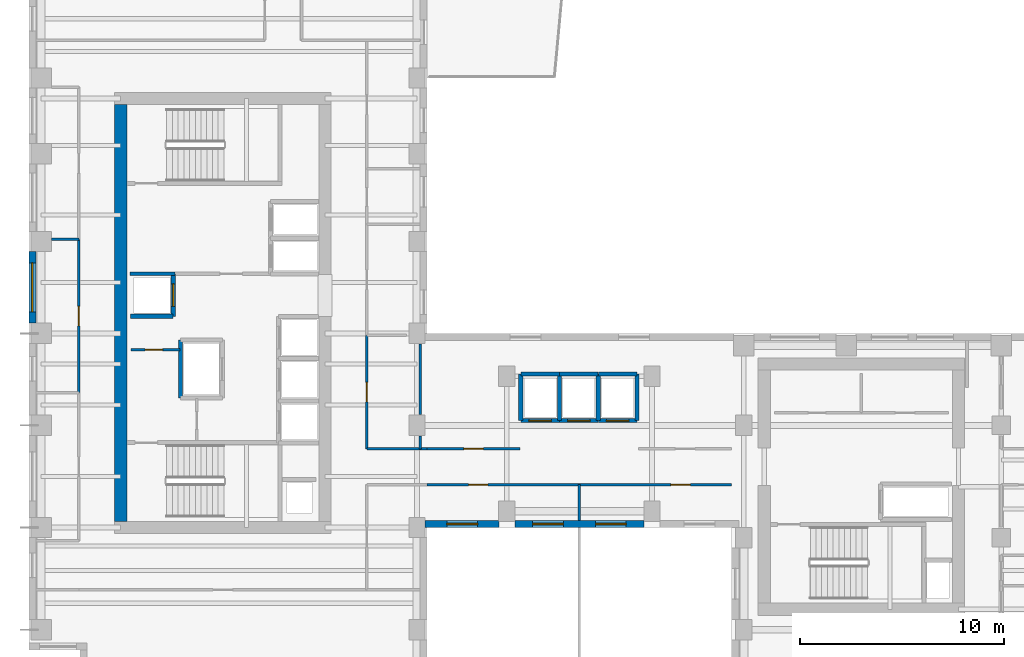
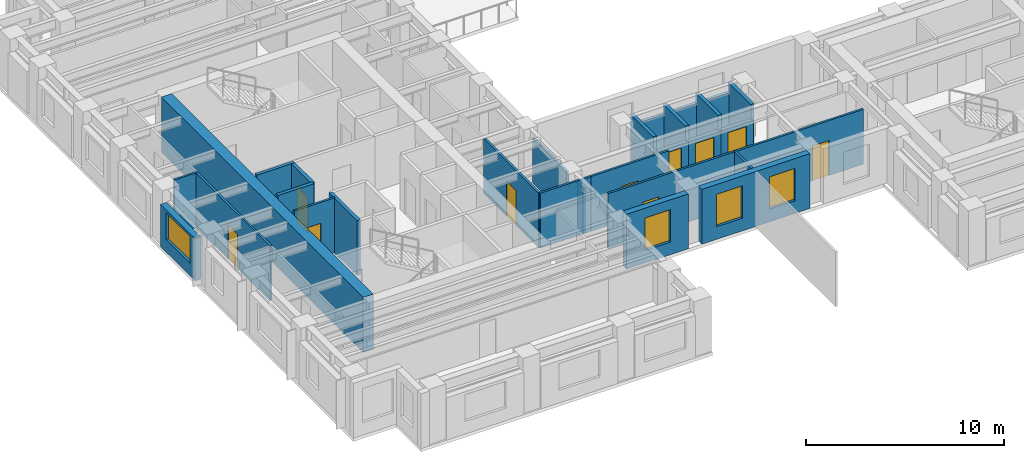
# One storey, part 4 of 11: 29 walls, 10 doors, 4 windows, 14 openings.
"""IFC4 building model written with IfcOpenShell, lengths in metres."""

from ifc_helpers import new_model, si_unit, direction, frame, frame_2d, origin, place, context, subcontext, project, spatial, rectangle, extrude, source, transform, mapped, material, layer, layer_set, type_object, element, fill, save


model = new_model("IFC4")

# Units and contexts
model_context = context("Model", 3, precision=1e-05, world=origin(), true_north=direction((0.0, 1.0)))
body_context = subcontext(model_context, "Body", "Model", "MODEL_VIEW")
ifc_project = project(units=[si_unit("LENGTHUNIT", "METRE"), si_unit("AREAUNIT", "SQUARE_METRE"), si_unit("VOLUMEUNIT", "CUBIC_METRE"), si_unit("PLANEANGLEUNIT", "RADIAN"), si_unit("MASSUNIT", "GRAM", prefix="KILO")], contexts=[model_context])

# Site, building, storey
site_placement = place(None, origin())
site = spatial("IfcSite", under=ifc_project, at=site_placement, CompositionType="ELEMENT")
building_placement = place(site_placement, origin())
building = spatial("IfcBuilding", under=site, at=building_placement, Name="Kharzan Plaza Tower", CompositionType="ELEMENT")
storey_placement = place(building_placement, frame((0.0, 0.0, 171.89990234375)))
storey = spatial("IfcBuildingStorey", under=building, at=storey_placement, Name="L46", CompositionType="ELEMENT", Elevation=171.89990234375)

# Wall, opening, window
ifc_material_1 = material(Name="Concrete C40/50", Category="concrete")
ifc_layer_1 = layer(ifc_material_1, 0.35009765625)
ifc_layer_set_1 = layer_set([ifc_layer_1], Name="Concrete C40/50")
wall_type_1 = type_object("IfcWallType", Name="WL-EXT-MAS-Z3", PredefinedType="SOLIDWALL", material=ifc_layer_set_1)
wall_1_placement = place(storey_placement, frame((0.175048828125, 22.001953125, 0.0), z_axis=(0.0, 0.0, 1.0), x_axis=(0.0, -1.0, 0.0)))
wall_1 = element("IfcWall", 1, at=wall_1_placement, inside=storey, type_object=wall_type_1, Name="L46 Masonry-Frame Exterior Wall 14", PredefinedType="SOLIDWALL", context=body_context, shape_type="SweptSolid", body=[
    extrude(rectangle(XDim=3.50390625, YDim=0.35009765625, at=frame_2d((1.751953125, 0.0))), origin(), (0.0, 0.0, 1.0), 2.612060546875),
])
opening_1_placement = place(wall_1_placement, frame((0.552001953125, 0.0, 0.780029296875)))
opening_1 = element("IfcOpeningElement", 2, at=opening_1_placement, cuts=wall_1, Name="Opening W2", PredefinedType="OPENING", context=body_context, shape_type="SweptSolid", body=[
    extrude(rectangle(XDim=2.39990234375, YDim=1.652099609375, at=frame_2d((1.199951171875, 0.826171875))), frame((0.0, 0.18505859375, 0.0), z_axis=(0.0, -1.0, 0.0), x_axis=(1.0, 0.0, 0.0)), (0.0, 0.0, 1.0), 0.3701171875),
])
ifc_material_2 = material(Name="Low-E Double Glazing", Category="glass")
window_type_1 = type_object("IfcWindowType", Name="WN-REC-2400x2100", PartitioningType="SINGLE_PANEL", PredefinedType="WINDOW", material=ifc_material_2)
shared_shape_1 = source(origin(), body_context, "Body", "SweptSolid", [
    extrude(rectangle(XDim=2.39990234375, YDim=1.652099609375, at=frame_2d((1.199951171875, 0.826171875))), frame((0.0, 0.030029296875, 0.0), z_axis=(0.0, -1.0, 0.0), x_axis=(1.0, 0.0, 0.0)), (0.0, 0.0, 1.0), 0.06005859375),
])
window_1_placement = place(opening_1_placement, origin())
window_1 = element("IfcWindow", 3, at=window_1_placement, inside=storey, type_object=window_type_1, Name="L46 Wide Recessed Solar-Control Window 14-1", OverallHeight=1.652099609375, OverallWidth=2.39990234375, PartitioningType="SINGLE_PANEL", PredefinedType="WINDOW", context=body_context, shape_type="MappedRepresentation", body=[
    mapped(shared_shape_1, transform((0.0, 0.0, 0.0), x_axis=(1.0, 0.0, 0.0), y_axis=(0.0, 1.0, 0.0), z_axis=(0.0, 0.0, 1.0))),
])
fill(opening_1, window_1)

wall_2_placement = place(storey_placement, frame((19.39794921875, 8.675048828125, 0.0), z_axis=(0.0, 0.0, 1.0), x_axis=(1.0, 0.0, 0.0)))
wall_2 = element("IfcWall", 4, at=wall_2_placement, inside=storey, type_object=wall_type_1, Name="L46 Masonry-Frame Exterior Wall 26", PredefinedType="SOLIDWALL", context=body_context, shape_type="SweptSolid", body=[
    extrude(rectangle(XDim=3.60400390625, YDim=0.35009765625, at=frame_2d((1.802001953125, 0.0))), origin(), (0.0, 0.0, 1.0), 3.385009765625),
])
opening_2_placement = place(wall_2_placement, frame((1.067138671875, 0.0, 0.780029296875)))
opening_2 = element("IfcOpeningElement", 5, at=opening_2_placement, cuts=wall_2, Name="Opening W5", PredefinedType="OPENING", context=body_context, shape_type="SweptSolid", body=[
    extrude(rectangle(XDim=1.5, YDim=2.0, at=frame_2d((0.75, 1.0))), frame((0.0, 0.18505859375, 0.0), z_axis=(0.0, -1.0, 0.0), x_axis=(1.0, 0.0, 0.0)), (0.0, 0.0, 1.0), 0.3701171875),
])
window_type_2 = type_object("IfcWindowType", Name="WN-SLT-1500x2000", PartitioningType="SINGLE_PANEL", PredefinedType="WINDOW", material=ifc_material_2)
shared_shape_2 = source(origin(), body_context, "Body", "SweptSolid", [
    extrude(rectangle(XDim=1.5, YDim=2.0, at=frame_2d((0.75, 1.0))), frame((0.0, 0.030029296875, 0.0), z_axis=(0.0, -1.0, 0.0), x_axis=(1.0, 0.0, 0.0)), (0.0, 0.0, 1.0), 0.06005859375),
])
window_2_placement = place(opening_2_placement, origin())
window_2 = element("IfcWindow", 6, at=window_2_placement, inside=storey, type_object=window_type_2, Name="L46 Recessed Solar-Control Window 26-1", OverallHeight=2.0, OverallWidth=1.5, PartitioningType="SINGLE_PANEL", PredefinedType="WINDOW", context=body_context, shape_type="MappedRepresentation", body=[
    mapped(shared_shape_2, transform((0.0, 0.0, 0.0), x_axis=(1.0, 0.0, 0.0), y_axis=(0.0, 1.0, 0.0), z_axis=(0.0, 0.0, 1.0))),
])
fill(opening_2, window_2)

# Wall, openings, windows
wall_3_placement = place(storey_placement, frame((23.798095703125, 8.675048828125, 0.0), z_axis=(0.0, 0.0, 1.0), x_axis=(1.0, 0.0, 0.0)))
wall_3 = element("IfcWall", 7, at=wall_3_placement, inside=storey, type_object=wall_type_1, Name="L46 Masonry-Frame Exterior Wall 27", PredefinedType="SOLIDWALL", context=body_context, shape_type="SweptSolid", body=[
    extrude(rectangle(XDim=6.303955078125, YDim=0.35009765625, at=frame_2d((3.15185546875, 0.0))), origin(), (0.0, 0.0, 1.0), 3.385009765625),
])
opening_3_placement = place(wall_3_placement, frame((0.861083984375, 0.0, 0.780029296875)))
opening_3 = element("IfcOpeningElement", 8, at=opening_3_placement, cuts=wall_3, Name="Opening W5", PredefinedType="OPENING", context=body_context, shape_type="SweptSolid", body=[
    extrude(rectangle(XDim=1.5, YDim=2.0, at=frame_2d((0.75, 1.0))), frame((0.0, 0.18505859375, 0.0), z_axis=(0.0, -1.0, 0.0), x_axis=(1.0, 0.0, 0.0)), (0.0, 0.0, 1.0), 0.3701171875),
])
opening_4_placement = place(wall_3_placement, frame((3.943115234375, 0.0, 0.780029296875)))
opening_4 = element("IfcOpeningElement", 9, at=opening_4_placement, cuts=wall_3, Name="Opening W5", PredefinedType="OPENING", context=body_context, shape_type="SweptSolid", body=[
    extrude(rectangle(XDim=1.5, YDim=2.0, at=frame_2d((0.75, 1.0))), frame((0.0, 0.18505859375, 0.0), z_axis=(0.0, -1.0, 0.0), x_axis=(1.0, 0.0, 0.0)), (0.0, 0.0, 1.0), 0.3701171875),
])
window_3_placement = place(opening_3_placement, origin())
window_3 = element("IfcWindow", 10, at=window_3_placement, inside=storey, type_object=window_type_2, Name="L46 Recessed Solar-Control Window 27-1", OverallHeight=2.0, OverallWidth=1.5, PartitioningType="SINGLE_PANEL", PredefinedType="WINDOW", context=body_context, shape_type="MappedRepresentation", body=[
    mapped(shared_shape_2, transform((0.0, 0.0, 0.0), x_axis=(1.0, 0.0, 0.0), y_axis=(0.0, 1.0, 0.0), z_axis=(0.0, 0.0, 1.0))),
])
fill(opening_3, window_3)
window_4_placement = place(opening_4_placement, origin())
window_4 = element("IfcWindow", 11, at=window_4_placement, inside=storey, type_object=window_type_2, Name="L46 Recessed Solar-Control Window 27-2", OverallHeight=2.0, OverallWidth=1.5, PartitioningType="SINGLE_PANEL", PredefinedType="WINDOW", context=body_context, shape_type="MappedRepresentation", body=[
    mapped(shared_shape_2, transform((0.0, 0.0, 0.0), x_axis=(1.0, 0.0, 0.0), y_axis=(0.0, 1.0, 0.0), z_axis=(0.0, 0.0, 1.0))),
])
fill(opening_4, window_4)

# Wall, opening, door
ifc_material_3 = material(Name="Fire-Rated Gypsum Board Partition", Category="gypsum")
ifc_layer_2 = layer(ifc_material_3, 0.125)
ifc_layer_set_2 = layer_set([ifc_layer_2], Name="Fire-Rated Gypsum Board Partition")
wall_type_2 = type_object("IfcWallType", Name="WL-INT-PART-125", PredefinedType="PARTITIONING", material=ifc_layer_set_2)
wall_4_placement = place(storey_placement, frame((5.0, 17.199951171875, 0.0), z_axis=(0.0, 0.0, 1.0), x_axis=(1.0, 0.0, 0.0)))
wall_4 = element("IfcWall", 12, at=wall_4_placement, inside=storey, type_object=wall_type_2, Name="L46 Interior Partition CA-K1N2", PredefinedType="PARTITIONING", context=body_context, shape_type="SweptSolid", body=[
    extrude(rectangle(XDim=2.39990234375, YDim=0.125, at=frame_2d((1.199951171875, 0.0))), origin(), (0.0, 0.0, 1.0), 3.385009765625),
])
opening_5_placement = place(wall_4_placement, frame((0.699951171875, 0.0, 0.0)))
opening_5 = element("IfcOpeningElement", 13, at=opening_5_placement, cuts=wall_4, Name="Opening RD1", PredefinedType="OPENING", context=body_context, shape_type="SweptSolid", body=[
    extrude(rectangle(XDim=0.85009765625, YDim=2.10009765625, at=frame_2d((0.425048828125, 1.050048828125))), frame((0.0, 0.072509765625, 0.0), z_axis=(0.0, -1.0, 0.0), x_axis=(1.0, 0.0, 0.0)), (0.0, 0.0, 1.0), 0.14501953125),
])
ifc_material_4 = material(Name="Powder-Coated Fire-Rated Steel", Category="steel")
door_type_1 = type_object("IfcDoorType", Name="DR-RISER-900", OperationType="NOTDEFINED", PredefinedType="DOOR", material=ifc_material_4)
shared_shape_3 = source(origin(), body_context, "Body", "SweptSolid", [
    extrude(rectangle(XDim=0.85009765625, YDim=2.10009765625, at=frame_2d((0.425048828125, 1.050048828125))), frame((0.0, 0.02490234375, 0.0), z_axis=(0.0, -1.0, 0.0), x_axis=(1.0, 0.0, 0.0)), (0.0, 0.0, 1.0), 0.050048828125),
])
door_1_placement = place(opening_5_placement, origin())
door_1 = element("IfcDoor", 14, at=door_1_placement, inside=storey, type_object=door_type_1, Name="L46 Core Storage Room Door", OperationType="SINGLE_SWING_RIGHT", OverallHeight=2.10009765625, OverallWidth=0.85009765625, PredefinedType="DOOR", context=body_context, shape_type="MappedRepresentation", body=[
    mapped(shared_shape_3, transform((0.0, 0.0, 0.0), x_axis=(1.0, 0.0, 0.0), y_axis=(0.0, 1.0, 0.0), z_axis=(0.0, 0.0, 1.0))),
])
fill(opening_5, door_1)

wall_5_placement = place(storey_placement, frame((16.550048828125, 12.35009765625, 0.0), z_axis=(0.0, 0.0, 1.0), x_axis=(0.0, 1.0, 0.0)))
wall_5 = element("IfcWall", 15, at=wall_5_placement, inside=storey, type_object=wall_type_2, Name="L46 Interior Partition SH-AEWN1", PredefinedType="PARTITIONING", context=body_context, shape_type="SweptSolid", body=[
    extrude(rectangle(XDim=5.5498046875, YDim=0.125, at=frame_2d((2.77490234375, 0.0))), origin(), (0.0, 0.0, 1.0), 3.385009765625),
])
opening_6_placement = place(wall_5_placement, frame((2.300048828125, 0.0, 0.0)))
opening_6 = element("IfcOpeningElement", 16, at=opening_6_placement, cuts=wall_5, Name="Opening OD1", PredefinedType="OPENING", context=body_context, shape_type="SweptSolid", body=[
    extrude(rectangle(XDim=0.949951171875, YDim=2.14990234375, at=frame_2d((0.47509765625, 1.074951171875))), frame((0.0, 0.072509765625, 0.0), z_axis=(0.0, -1.0, 0.0), x_axis=(1.0, 0.0, 0.0)), (0.0, 0.0, 1.0), 0.14501953125),
])
ifc_material_5 = material(Name="Acoustic Solid-Core Stained Oak", Category="timber")
door_type_2 = type_object("IfcDoorType", Name="DR-OFF-SINGLE", OperationType="NOTDEFINED", PredefinedType="DOOR", material=ifc_material_5)
shared_shape_4 = source(origin(), body_context, "Body", "SweptSolid", [
    extrude(rectangle(XDim=0.949951171875, YDim=2.14990234375, at=frame_2d((0.47509765625, 1.074951171875))), frame((0.0, 0.02490234375, 0.0), z_axis=(0.0, -1.0, 0.0), x_axis=(1.0, 0.0, 0.0)), (0.0, 0.0, 1.0), 0.050048828125),
])
door_2_placement = place(opening_6_placement, origin())
door_2 = element("IfcDoor", 17, at=door_2_placement, inside=storey, type_object=door_type_2, Name="L46 Slot Collaboration Door", OperationType="SINGLE_SWING_RIGHT", OverallHeight=2.14990234375, OverallWidth=0.949951171875, PredefinedType="DOOR", context=body_context, shape_type="MappedRepresentation", body=[
    mapped(shared_shape_4, transform((0.0, 0.0, 0.0), x_axis=(1.0, 0.0, 0.0), y_axis=(0.0, 1.0, 0.0), z_axis=(0.0, 0.0, 1.0))),
])
fill(opening_6, door_2)

wall_6_placement = place(storey_placement, frame((19.5, 12.35009765625, 0.0), z_axis=(0.0, 0.0, 1.0), x_axis=(1.0, 0.0, 0.0)))
wall_6 = element("IfcWall", 18, at=wall_6_placement, inside=storey, type_object=wall_type_2, Name="L46 Interior Partition SH-SPNW1", PredefinedType="PARTITIONING", context=body_context, shape_type="SweptSolid", body=[
    extrude(rectangle(XDim=4.550048828125, YDim=0.125, at=frame_2d((2.27490234375, 0.0))), origin(), (0.0, 0.0, 1.0), 3.385009765625),
])
opening_7_placement = place(wall_6_placement, frame((1.800048828125, 0.0, 0.0)))
opening_7 = element("IfcOpeningElement", 19, at=opening_7_placement, cuts=wall_6, Name="Opening OD1", PredefinedType="OPENING", context=body_context, shape_type="SweptSolid", body=[
    extrude(rectangle(XDim=0.949951171875, YDim=2.14990234375, at=frame_2d((0.47509765625, 1.074951171875))), frame((0.0, 0.072509765625, 0.0), z_axis=(0.0, -1.0, 0.0), x_axis=(1.0, 0.0, 0.0)), (0.0, 0.0, 1.0), 0.14501953125),
])
door_3_placement = place(opening_7_placement, origin())
door_3 = element("IfcDoor", 20, at=door_3_placement, inside=storey, type_object=door_type_2, Name="L46 North-West Spine Door", OperationType="SINGLE_SWING_RIGHT", OverallHeight=2.14990234375, OverallWidth=0.949951171875, PredefinedType="DOOR", context=body_context, shape_type="MappedRepresentation", body=[
    mapped(shared_shape_4, transform((0.0, 0.0, 0.0), x_axis=(1.0, 0.0, 0.0), y_axis=(0.0, 1.0, 0.0), z_axis=(0.0, 0.0, 1.0))),
])
fill(opening_7, door_3)

wall_7_placement = place(storey_placement, frame((19.5, 10.60009765625, 0.0), z_axis=(0.0, 0.0, 1.0), x_axis=(1.0, 0.0, 0.0)))
wall_7 = element("IfcWall", 21, at=wall_7_placement, inside=storey, type_object=wall_type_2, Name="L46 Interior Partition SH-SPS1", PredefinedType="PARTITIONING", context=body_context, shape_type="SweptSolid", body=[
    extrude(rectangle(XDim=7.449951171875, YDim=0.125, at=frame_2d((3.72509765625, 0.0))), origin(), (0.0, 0.0, 1.0), 3.385009765625),
])
opening_8_placement = place(wall_7_placement, frame((2.02197265625, 0.0, 0.0)))
opening_8 = element("IfcOpeningElement", 22, at=opening_8_placement, cuts=wall_7, Name="Opening OD1", PredefinedType="OPENING", context=body_context, shape_type="SweptSolid", body=[
    extrude(rectangle(XDim=0.949951171875, YDim=2.14990234375, at=frame_2d((0.47509765625, 1.074951171875))), frame((0.0, 0.072509765625, 0.0), z_axis=(0.0, -1.0, 0.0), x_axis=(1.0, 0.0, 0.0)), (0.0, 0.0, 1.0), 0.14501953125),
])
door_4_placement = place(opening_8_placement, origin())
door_4 = element("IfcDoor", 23, at=door_4_placement, inside=storey, type_object=door_type_2, Name="L46 South Spine West Door", OperationType="SINGLE_SWING_RIGHT", OverallHeight=2.14990234375, OverallWidth=0.949951171875, PredefinedType="DOOR", context=body_context, shape_type="MappedRepresentation", body=[
    mapped(shared_shape_4, transform((0.0, 0.0, 0.0), x_axis=(1.0, 0.0, 0.0), y_axis=(0.0, 1.0, 0.0), z_axis=(0.0, 0.0, 1.0))),
])
fill(opening_8, door_4)

wall_8_placement = place(storey_placement, frame((26.949951171875, 10.60009765625, 0.0), z_axis=(0.0, 0.0, 1.0), x_axis=(1.0, 0.0, 0.0)))
wall_8 = element("IfcWall", 24, at=wall_8_placement, inside=storey, type_object=wall_type_2, Name="L46 Interior Partition SH-SPS2", PredefinedType="PARTITIONING", context=body_context, shape_type="SweptSolid", body=[
    extrude(rectangle(XDim=7.449951171875, YDim=0.125, at=frame_2d((3.72509765625, 0.0))), origin(), (0.0, 0.0, 1.0), 3.385009765625),
])
opening_9_placement = place(wall_8_placement, frame((4.47802734375, 0.0, 0.0)))
opening_9 = element("IfcOpeningElement", 25, at=opening_9_placement, cuts=wall_8, Name="Opening OD1", PredefinedType="OPENING", context=body_context, shape_type="SweptSolid", body=[
    extrude(rectangle(XDim=0.949951171875, YDim=2.14990234375, at=frame_2d((0.47509765625, 1.074951171875))), frame((0.0, 0.072509765625, 0.0), z_axis=(0.0, -1.0, 0.0), x_axis=(1.0, 0.0, 0.0)), (0.0, 0.0, 1.0), 0.14501953125),
])
door_5_placement = place(opening_9_placement, origin())
door_5 = element("IfcDoor", 26, at=door_5_placement, inside=storey, type_object=door_type_2, Name="L46 South Spine East Door", OperationType="SINGLE_SWING_LEFT", OverallHeight=2.14990234375, OverallWidth=0.949951171875, PredefinedType="DOOR", context=body_context, shape_type="MappedRepresentation", body=[
    mapped(shared_shape_4, transform((0.0, 0.0, 0.0), x_axis=(1.0, 0.0, 0.0), y_axis=(0.0, 1.0, 0.0), z_axis=(0.0, 0.0, 1.0))),
])
fill(opening_9, door_5)

wall_9_placement = place(storey_placement, frame((2.449951171875, 15.10009765625, 0.0), z_axis=(0.0, 0.0, 1.0), x_axis=(0.0, 1.0, 0.0)))
wall_9 = element("IfcWall", 27, at=wall_9_placement, inside=storey, type_object=wall_type_2, Name="L46 Interior Partition SH-WW-2", PredefinedType="PARTITIONING", context=body_context, shape_type="SweptSolid", body=[
    extrude(rectangle(XDim=7.5, YDim=0.125, at=frame_2d((3.75, 0.0))), origin(), (0.0, 0.0, 1.0), 3.385009765625),
])
opening_10_placement = place(wall_9_placement, frame((3.27490234375, 0.0, 0.0)))
opening_10 = element("IfcOpeningElement", 28, at=opening_10_placement, cuts=wall_9, Name="Opening OD1", PredefinedType="OPENING", context=body_context, shape_type="SweptSolid", body=[
    extrude(rectangle(XDim=0.949951171875, YDim=2.14990234375, at=frame_2d((0.47509765625, 1.074951171875))), frame((0.0, 0.072509765625, 0.0), z_axis=(0.0, -1.0, 0.0), x_axis=(1.0, 0.0, 0.0)), (0.0, 0.0, 1.0), 0.14501953125),
])
door_6_placement = place(opening_10_placement, origin())
door_6 = element("IfcDoor", 29, at=door_6_placement, inside=storey, type_object=door_type_2, Name="L46 Executive Boardroom Door", OperationType="SINGLE_SWING_RIGHT", OverallHeight=2.14990234375, OverallWidth=0.949951171875, PredefinedType="DOOR", context=body_context, shape_type="MappedRepresentation", body=[
    mapped(shared_shape_4, transform((0.0, 0.0, 0.0), x_axis=(1.0, 0.0, 0.0), y_axis=(0.0, 1.0, 0.0), z_axis=(0.0, 0.0, 1.0))),
])
fill(opening_10, door_6)

ifc_layer_3 = layer(ifc_material_1, 0.199951171875)
ifc_layer_set_3 = layer_set([ifc_layer_3], Name="Concrete C40/50")
wall_type_3 = type_object("IfcWallType", Name="WL-INT-SHAFT-200", PredefinedType="PARTITIONING", material=ifc_layer_set_3)
wall_10_placement = place(storey_placement, frame((7.070068359375, 18.840087890625, 0.0), z_axis=(0.0, 0.0, 1.0), x_axis=(0.0, 1.0, 0.0)))
wall_10 = element("IfcWall", 30, at=wall_10_placement, inside=storey, type_object=wall_type_3, Name="L46 Interior Partition SHF-PL-H4-E", PredefinedType="PARTITIONING", context=body_context, shape_type="SweptSolid", body=[
    extrude(rectangle(XDim=2.059814453125, YDim=0.199951171875, at=frame_2d((1.02978515625, 0.0))), origin(), (0.0, 0.0, 1.0), 3.385009765625),
])
opening_11_placement = place(wall_10_placement, frame((0.47998046875, 0.0, 0.0)))
opening_11 = element("IfcOpeningElement", 31, at=opening_11_placement, cuts=wall_10, Name="Opening LD", PredefinedType="OPENING", context=body_context, shape_type="SweptSolid", body=[
    extrude(rectangle(XDim=1.10009765625, YDim=2.199951171875, at=frame_2d((0.550048828125, 1.10009765625))), frame((0.0, 0.10986328125, 0.0), z_axis=(0.0, -1.0, 0.0), x_axis=(1.0, 0.0, 0.0)), (0.0, 0.0, 1.0), 0.219970703125),
])
ifc_material_6 = material(Name="Brushed Stainless Steel", Category="steel")
door_type_3 = type_object("IfcDoorType", Name="DR-LIFT-SLIDE", OperationType="SLIDING_TO_LEFT", PredefinedType="DOOR", material=ifc_material_6)
shared_shape_5 = source(origin(), body_context, "Body", "SweptSolid", [
    extrude(rectangle(XDim=1.10009765625, YDim=2.199951171875, at=frame_2d((0.550048828125, 1.10009765625))), frame((0.0, 0.02490234375, 0.0), z_axis=(0.0, -1.0, 0.0), x_axis=(1.0, 0.0, 0.0)), (0.0, 0.0, 1.0), 0.050048828125),
])
door_7_placement = place(opening_11_placement, origin())
door_7 = element("IfcDoor", 32, at=door_7_placement, inside=storey, type_object=door_type_3, Name="L46 High-Rise Passenger Lift PL-H4 Sliding Landing Door", OperationType="SLIDING_TO_LEFT", OverallHeight=2.199951171875, OverallWidth=1.10009765625, PredefinedType="DOOR", context=body_context, shape_type="MappedRepresentation", body=[
    mapped(shared_shape_5, transform((0.0, 0.0, 0.0), x_axis=(1.0, 0.0, 0.0), y_axis=(0.0, 1.0, 0.0), z_axis=(0.0, 0.0, 1.0))),
])
fill(opening_11, door_7)

wall_11_placement = place(storey_placement, frame((24.080078125, 13.72998046875, 0.0), z_axis=(0.0, 0.0, 1.0), x_axis=(1.0, 0.0, 0.0)))
wall_11 = element("IfcWall", 33, at=wall_11_placement, inside=storey, type_object=wall_type_3, Name="L46 Interior Partition SHF-PL-M1-S", PredefinedType="PARTITIONING", context=body_context, shape_type="SweptSolid", body=[
    extrude(rectangle(XDim=1.889892578125, YDim=0.199951171875, at=frame_2d((0.94482421875, 0.0))), origin(), (0.0, 0.0, 1.0), 2.466064453125),
])
opening_12_placement = place(wall_11_placement, frame((0.39501953125, 0.0, 0.0)))
opening_12 = element("IfcOpeningElement", 34, at=opening_12_placement, cuts=wall_11, Name="Opening LD", PredefinedType="OPENING", context=body_context, shape_type="SweptSolid", body=[
    extrude(rectangle(XDim=1.10009765625, YDim=2.199951171875, at=frame_2d((0.550048828125, 1.10009765625))), frame((0.0, 0.10986328125, 0.0), z_axis=(0.0, -1.0, 0.0), x_axis=(1.0, 0.0, 0.0)), (0.0, 0.0, 1.0), 0.219970703125),
])
door_8_placement = place(opening_12_placement, origin())
door_8 = element("IfcDoor", 35, at=door_8_placement, inside=storey, type_object=door_type_3, Name="L46 Mid-Rise Passenger Lift PL-M1 Sliding Landing Door", OperationType="SLIDING_TO_LEFT", OverallHeight=2.199951171875, OverallWidth=1.10009765625, PredefinedType="DOOR", context=body_context, shape_type="MappedRepresentation", body=[
    mapped(shared_shape_5, transform((0.0, 0.0, 0.0), x_axis=(1.0, 0.0, 0.0), y_axis=(0.0, 1.0, 0.0), z_axis=(0.0, 0.0, 1.0))),
])
fill(opening_12, door_8)

wall_12_placement = place(storey_placement, frame((25.97998046875, 13.72998046875, 0.0), z_axis=(0.0, 0.0, 1.0), x_axis=(1.0, 0.0, 0.0)))
wall_12 = element("IfcWall", 36, at=wall_12_placement, inside=storey, type_object=wall_type_3, Name="L46 Interior Partition SHF-PL-M2-S", PredefinedType="PARTITIONING", context=body_context, shape_type="SweptSolid", body=[
    extrude(rectangle(XDim=1.89013671875, YDim=0.199951171875, at=frame_2d((0.945068359375, 0.0))), origin(), (0.0, 0.0, 1.0), 2.466064453125),
])
opening_13_placement = place(wall_12_placement, frame((0.39501953125, 0.0, 0.0)))
opening_13 = element("IfcOpeningElement", 37, at=opening_13_placement, cuts=wall_12, Name="Opening LD", PredefinedType="OPENING", context=body_context, shape_type="SweptSolid", body=[
    extrude(rectangle(XDim=1.10009765625, YDim=2.199951171875, at=frame_2d((0.550048828125, 1.10009765625))), frame((0.0, 0.10986328125, 0.0), z_axis=(0.0, -1.0, 0.0), x_axis=(1.0, 0.0, 0.0)), (0.0, 0.0, 1.0), 0.219970703125),
])
door_9_placement = place(opening_13_placement, origin())
door_9 = element("IfcDoor", 38, at=door_9_placement, inside=storey, type_object=door_type_3, Name="L46 Mid-Rise Passenger Lift PL-M2 Sliding Landing Door", OperationType="SLIDING_TO_LEFT", OverallHeight=2.199951171875, OverallWidth=1.10009765625, PredefinedType="DOOR", context=body_context, shape_type="MappedRepresentation", body=[
    mapped(shared_shape_5, transform((0.0, 0.0, 0.0), x_axis=(1.0, 0.0, 0.0), y_axis=(0.0, 1.0, 0.0), z_axis=(0.0, 0.0, 1.0))),
])
fill(opening_13, door_9)

wall_13_placement = place(storey_placement, frame((27.8798828125, 13.72998046875, 0.0), z_axis=(0.0, 0.0, 1.0), x_axis=(1.0, 0.0, 0.0)))
wall_13 = element("IfcWall", 39, at=wall_13_placement, inside=storey, type_object=wall_type_3, Name="L46 Interior Partition SHF-PL-M3-S", PredefinedType="PARTITIONING", context=body_context, shape_type="SweptSolid", body=[
    extrude(rectangle(XDim=1.89013671875, YDim=0.199951171875, at=frame_2d((0.945068359375, 0.0))), origin(), (0.0, 0.0, 1.0), 2.466064453125),
])
opening_14_placement = place(wall_13_placement, frame((0.39501953125, 0.0, 0.0)))
opening_14 = element("IfcOpeningElement", 40, at=opening_14_placement, cuts=wall_13, Name="Opening LD", PredefinedType="OPENING", context=body_context, shape_type="SweptSolid", body=[
    extrude(rectangle(XDim=1.10009765625, YDim=2.199951171875, at=frame_2d((0.550048828125, 1.10009765625))), frame((0.0, 0.10986328125, 0.0), z_axis=(0.0, -1.0, 0.0), x_axis=(1.0, 0.0, 0.0)), (0.0, 0.0, 1.0), 0.219970703125),
])
door_10_placement = place(opening_14_placement, origin())
door_10 = element("IfcDoor", 41, at=door_10_placement, inside=storey, type_object=door_type_3, Name="L46 Mid-Rise Passenger Lift PL-M3 Sliding Landing Door", OperationType="SLIDING_TO_LEFT", OverallHeight=2.199951171875, OverallWidth=1.10009765625, PredefinedType="DOOR", context=body_context, shape_type="MappedRepresentation", body=[
    mapped(shared_shape_5, transform((0.0, 0.0, 0.0), x_axis=(1.0, 0.0, 0.0), y_axis=(0.0, 1.0, 0.0), z_axis=(0.0, 0.0, 1.0))),
])
fill(opening_14, door_10)

# Walls
ifc_layer_4 = layer(ifc_material_1, 0.179931640625)
ifc_layer_set_4 = layer_set([ifc_layer_4], Name="Concrete C40/50")
wall_type_4 = type_object("IfcWallType", Name="WL-INT-FIRE-180", PredefinedType="PARTITIONING", material=ifc_layer_set_4)
shared_shape_6 = source(origin(), body_context, "Body", "SweptSolid", [
    extrude(rectangle(XDim=2.199951171875, YDim=0.179931640625, at=frame_2d((1.10009765625, 0.0))), origin(), (0.0, 0.0, 1.0), 3.385009765625),
])
wall_14_placement = place(storey_placement, frame((4.949951171875, 20.919921875, 0.0), z_axis=(0.0, 0.0, 1.0), x_axis=(1.0, 0.0, 0.0)))
element("IfcWall", 42, at=wall_14_placement, inside=storey, type_object=wall_type_4, Name="L46 Interior Partition CA-FF-SW", PredefinedType="PARTITIONING", context=body_context, shape_type="MappedRepresentation", body=[
    mapped(shared_shape_6, transform((0.0, 0.0, 0.0), x_axis=(1.0, 0.0, 0.0), y_axis=(0.0, 1.0, 0.0), z_axis=(0.0, 0.0, 1.0))),
])
shared_shape_7 = source(origin(), body_context, "Body", "SweptSolid", [
    extrude(rectangle(XDim=2.090087890625, YDim=0.199951171875, at=frame_2d((1.044921875, 0.0))), origin(), (0.0, 0.0, 1.0), 3.385009765625),
])
wall_15_placement = place(storey_placement, frame((4.97998046875, 18.840087890625, 0.0), z_axis=(0.0, 0.0, 1.0), x_axis=(1.0, 0.0, 0.0)))
element("IfcWall", 43, at=wall_15_placement, inside=storey, type_object=wall_type_3, Name="L46 Interior Partition SHF-PL-H4-S", PredefinedType="PARTITIONING", context=body_context, shape_type="MappedRepresentation", body=[
    mapped(shared_shape_7, transform((0.0, 0.0, 0.0), x_axis=(1.0, 0.0, 0.0), y_axis=(0.0, 1.0, 0.0), z_axis=(0.0, 0.0, 1.0))),
])
shared_shape_8 = source(origin(), body_context, "Body", "SweptSolid", [
    extrude(rectangle(XDim=2.2900390625, YDim=0.199951171875, at=frame_2d((1.14501953125, 0.0))), origin(), (0.0, 0.0, 1.0), 3.385009765625),
])
for number, where, z_axis, x_axis, name in (
    (44, (25.969970703125, 13.72998046875, 0.0), (0.0, 0.0, 1.0), (0.0, 1.0, 0.0), "L46 Interior Partition SHF-PL-M1-E"),
    (45, (24.080078125, 13.72998046875, 0.0), (0.0, 0.0, 1.0), (0.0, 1.0, 0.0), "L46 Interior Partition SHF-PL-M1-W"),
    (46, (27.8701171875, 13.72998046875, 0.0), (0.0, 0.0, 1.0), (0.0, 1.0, 0.0), "L46 Interior Partition SHF-PL-M2-E"),
    (47, (29.77001953125, 13.72998046875, 0.0), (0.0, 0.0, 1.0), (0.0, 1.0, 0.0), "L46 Interior Partition SHF-PL-M3-E"),
):
    element("IfcWall", number, at=place(storey_placement, frame(where, z_axis=z_axis, x_axis=x_axis)), inside=storey, type_object=wall_type_3, Name=name, PredefinedType="PARTITIONING", context=body_context, shape_type="MappedRepresentation", body=[
        mapped(shared_shape_8, transform((0.0, 0.0, 0.0), x_axis=(1.0, 0.0, 0.0), y_axis=(0.0, 1.0, 0.0), z_axis=(0.0, 0.0, 1.0))),
    ])
shared_shape_9 = source(origin(), body_context, "Body", "SweptSolid", [
    extrude(rectangle(XDim=2.83984375, YDim=0.199951171875, at=frame_2d((1.419921875, 0.0))), origin(), (0.0, 0.0, 1.0), 3.385009765625),
])
wall_16_placement = place(storey_placement, frame((7.429931640625, 14.830078125, 0.0), z_axis=(0.0, 0.0, 1.0), x_axis=(0.0, 1.0, 0.0)))
element("IfcWall", 48, at=wall_16_placement, inside=storey, type_object=wall_type_3, Name="L46 Interior Partition SHF-SVL-1-W", PredefinedType="PARTITIONING", context=body_context, shape_type="MappedRepresentation", body=[
    mapped(shared_shape_9, transform((0.0, 0.0, 0.0), x_axis=(1.0, 0.0, 0.0), y_axis=(0.0, 1.0, 0.0), z_axis=(0.0, 0.0, 1.0))),
])
ifc_material_7 = material(Name="Concrete C50/60", Category="concrete")
ifc_layer_5 = layer(ifc_material_7, 0.60009765625)
ifc_layer_set_5 = layer_set([ifc_layer_5], Name="Concrete C50/60")
wall_type_5 = type_object("IfcWallType", Name="WL-CORE-600", PredefinedType="SHEAR", material=ifc_layer_set_5)
shared_shape_10 = source(origin(), body_context, "Body", "SweptSolid", [
    extrude(rectangle(XDim=20.39990234375, YDim=0.60009765625, at=frame_2d((10.199951171875, 0.0))), origin(), (0.0, 0.0, 1.0), 3.400146484375),
])
wall_17_placement = place(storey_placement, frame((4.5, 8.800048828125, 0.0), z_axis=(0.0, 0.0, 1.0), x_axis=(0.0, 1.0, 0.0)))
element("IfcWall", 49, at=wall_17_placement, inside=storey, type_object=wall_type_5, Name="L46 CORE-A west RC shear wall", PredefinedType="SHEAR", context=body_context, shape_type="MappedRepresentation", body=[
    mapped(shared_shape_10, transform((0.0, 0.0, 0.0), x_axis=(1.0, 0.0, 0.0), y_axis=(0.0, 1.0, 0.0), z_axis=(0.0, 0.0, 1.0))),
])
shared_shape_11 = source(origin(), body_context, "Body", "SweptSolid", [
    extrude(rectangle(XDim=1.329833984375, YDim=0.125, at=frame_2d((0.6650390625, 0.0))), origin(), (0.0, 0.0, 1.0), 3.385009765625),
])
wall_18_placement = place(storey_placement, frame((1.1201171875, 22.60009765625, 0.0), z_axis=(0.0, 0.0, 1.0), x_axis=(1.0, 0.0, 0.0)))
element("IfcWall", 50, at=wall_18_placement, inside=storey, type_object=wall_type_2, Name="L46 Interior Partition SH-WH-2", PredefinedType="PARTITIONING", context=body_context, shape_type="MappedRepresentation", body=[
    mapped(shared_shape_11, transform((0.0, 0.0, 0.0), x_axis=(1.0, 0.0, 0.0), y_axis=(0.0, 1.0, 0.0), z_axis=(0.0, 0.0, 1.0))),
])
shared_shape_12 = source(origin(), body_context, "Body", "SweptSolid", [
    extrude(rectangle(XDim=2.949951171875, YDim=0.125, at=frame_2d((1.47509765625, 0.0))), origin(), (0.0, 0.0, 1.0), 3.385009765625),
])
wall_19_placement = place(storey_placement, frame((16.550048828125, 12.35009765625, 0.0), z_axis=(0.0, 0.0, 1.0), x_axis=(1.0, 0.0, 0.0)))
element("IfcWall", 51, at=wall_19_placement, inside=storey, type_object=wall_type_2, Name="L46 Interior Partition SH-SPNW0", PredefinedType="PARTITIONING", context=body_context, shape_type="MappedRepresentation", body=[
    mapped(shared_shape_12, transform((0.0, 0.0, 0.0), x_axis=(1.0, 0.0, 0.0), y_axis=(0.0, 1.0, 0.0), z_axis=(0.0, 0.0, 1.0))),
])
shared_shape_13 = source(origin(), body_context, "Body", "SweptSolid", [
    extrude(rectangle(XDim=0.6298828125, YDim=0.125, at=frame_2d((0.31494140625, 0.0))), origin(), (0.0, 0.0, 1.0), 2.773193359375),
])
wall_20_placement = place(storey_placement, frame((19.14990234375, 12.35009765625, 0.0), z_axis=(0.0, 0.0, 1.0), x_axis=(0.0, 1.0, 0.0)))
element("IfcWall", 52, at=wall_20_placement, inside=storey, type_object=wall_type_2, Name="L46 Interior Partition SH-AEN-DIV-S1", PredefinedType="PARTITIONING", context=body_context, shape_type="MappedRepresentation", body=[
    mapped(shared_shape_13, transform((0.0, 0.0, 0.0), x_axis=(1.0, 0.0, 0.0), y_axis=(0.0, 1.0, 0.0), z_axis=(0.0, 0.0, 1.0))),
])
shared_shape_14 = source(origin(), body_context, "Body", "SweptSolid", [
    extrude(rectangle(XDim=3.4599609375, YDim=0.125, at=frame_2d((1.72998046875, 0.0))), origin(), (0.0, 0.0, 1.0), 2.773193359375),
])
wall_21_placement = place(storey_placement, frame((19.14990234375, 14.02001953125, 0.0), z_axis=(0.0, 0.0, 1.0), x_axis=(0.0, 1.0, 0.0)))
element("IfcWall", 53, at=wall_21_placement, inside=storey, type_object=wall_type_2, Name="L46 Interior Partition SH-AEN-DIV-S2", PredefinedType="PARTITIONING", context=body_context, shape_type="MappedRepresentation", body=[
    mapped(shared_shape_14, transform((0.0, 0.0, 0.0), x_axis=(1.0, 0.0, 0.0), y_axis=(0.0, 1.0, 0.0), z_axis=(0.0, 0.0, 1.0))),
])
shared_shape_15 = source(origin(), body_context, "Body", "SweptSolid", [
    extrude(rectangle(XDim=1.889892578125, YDim=0.199951171875, at=frame_2d((0.94482421875, 0.0))), origin(), (0.0, 0.0, 1.0), 2.773193359375),
])
wall_22_placement = place(storey_placement, frame((24.080078125, 16.02001953125, 0.0), z_axis=(0.0, 0.0, 1.0), x_axis=(1.0, 0.0, 0.0)))
element("IfcWall", 54, at=wall_22_placement, inside=storey, type_object=wall_type_3, Name="L46 Interior Partition SHF-PL-M1-N", PredefinedType="PARTITIONING", context=body_context, shape_type="MappedRepresentation", body=[
    mapped(shared_shape_15, transform((0.0, 0.0, 0.0), x_axis=(1.0, 0.0, 0.0), y_axis=(0.0, 1.0, 0.0), z_axis=(0.0, 0.0, 1.0))),
])
shared_shape_16 = source(origin(), body_context, "Body", "SweptSolid", [
    extrude(rectangle(XDim=1.89013671875, YDim=0.199951171875, at=frame_2d((0.945068359375, 0.0))), origin(), (0.0, 0.0, 1.0), 2.773193359375),
])
for number, where, z_axis, x_axis, name in (
    (55, (25.97998046875, 16.02001953125, 0.0), (0.0, 0.0, 1.0), (1.0, 0.0, 0.0), "L46 Interior Partition SHF-PL-M2-N"),
    (56, (27.8798828125, 16.02001953125, 0.0), (0.0, 0.0, 1.0), (1.0, 0.0, 0.0), "L46 Interior Partition SHF-PL-M3-N"),
):
    element("IfcWall", number, at=place(storey_placement, frame(where, z_axis=z_axis, x_axis=x_axis)), inside=storey, type_object=wall_type_3, Name=name, PredefinedType="PARTITIONING", context=body_context, shape_type="MappedRepresentation", body=[
        mapped(shared_shape_16, transform((0.0, 0.0, 0.0), x_axis=(1.0, 0.0, 0.0), y_axis=(0.0, 1.0, 0.0), z_axis=(0.0, 0.0, 1.0))),
    ])
shared_shape_17 = source(origin(), body_context, "Body", "SweptSolid", [
    extrude(rectangle(XDim=1.748046875, YDim=0.125, at=frame_2d((0.8740234375, 0.0))), origin(), (0.0, 0.0, 1.0), 3.385009765625),
])
wall_23_placement = place(storey_placement, frame((26.949951171875, 8.85205078125, 0.0), z_axis=(0.0, 0.0, 1.0), x_axis=(0.0, 1.0, 0.0)))
element("IfcWall", 57, at=wall_23_placement, inside=storey, type_object=wall_type_2, Name="L46 Interior Partition SH-SPSV1-S2", PredefinedType="PARTITIONING", context=body_context, shape_type="MappedRepresentation", body=[
    mapped(shared_shape_17, transform((0.0, 0.0, 0.0), x_axis=(1.0, 0.0, 0.0), y_axis=(0.0, 1.0, 0.0), z_axis=(0.0, 0.0, 1.0))),
])

save(model, "model.ifc")
